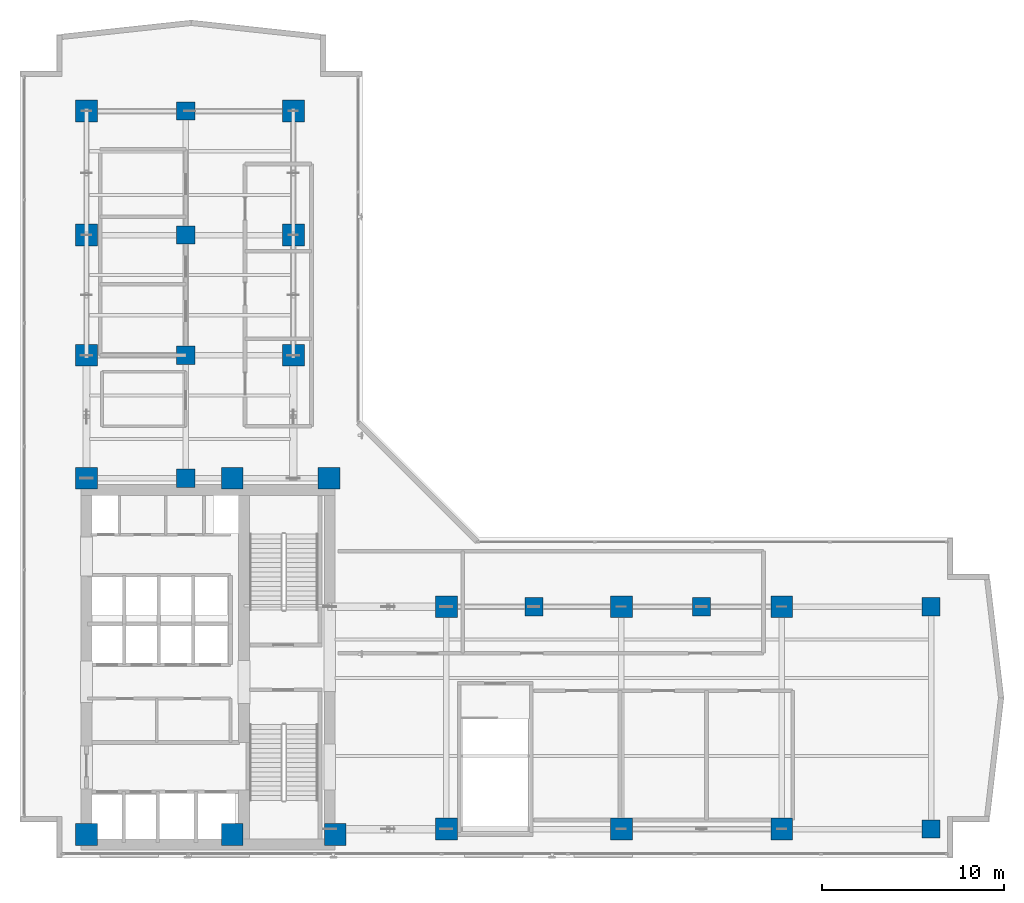
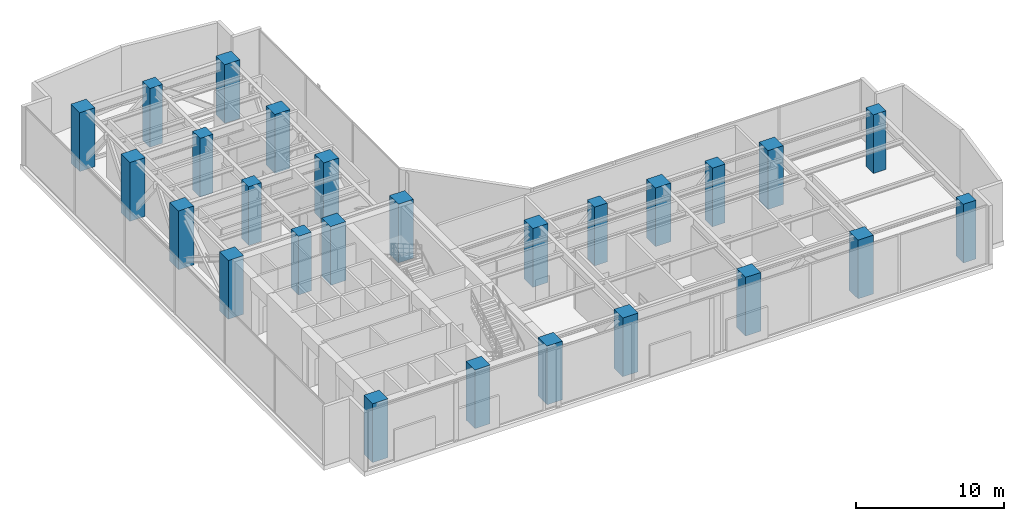
# One storey, part 1 of 36: 26 columns.
"""IFC4 building model written with IfcOpenShell, lengths in metres."""

from ifc_helpers import new_model, si_unit, direction, frame, origin, origin_2d, place, context, subcontext, project, spatial, rectangle, extrude, material, material_profile, profile_set, type_object, element, save


model = new_model("IFC4")

# Units and contexts
model_context = context("Model", 3, precision=1e-05, world=origin(), true_north=direction((0.0, 1.0)))
body_context = subcontext(model_context, "Body", "Model", "MODEL_VIEW")
ifc_project = project(units=[si_unit("LENGTHUNIT", "METRE"), si_unit("AREAUNIT", "SQUARE_METRE"), si_unit("VOLUMEUNIT", "CUBIC_METRE"), si_unit("PLANEANGLEUNIT", "RADIAN"), si_unit("MASSUNIT", "GRAM", prefix="KILO")], contexts=[model_context])

# Site, building, storey
site_placement = place(None, origin())
site = spatial("IfcSite", under=ifc_project, at=site_placement, CompositionType="ELEMENT")
building_placement = place(site_placement, origin())
building = spatial("IfcBuilding", under=site, at=building_placement, Name="Kolvaren Waterfront Exchange", CompositionType="ELEMENT")
storey_placement = place(building_placement, frame((0.0, 0.0, 199.39990234375)))
storey = spatial("IfcBuildingStorey", under=building, at=storey_placement, Name="L51", CompositionType="ELEMENT", Elevation=199.39990234375)

# Columns
ifc_material = material(Name="Concrete C60/75", Category="concrete")
ifc_material_profile_1 = material_profile(ifc_material, rectangle(XDim=1.0, YDim=1.0, at=origin_2d()), Name="RC-COL-1000x1000")
ifc_profile_set_1 = profile_set([ifc_material_profile_1], Name="Concrete C60/75")
column_type_1 = type_object("IfcColumnType", Name="STR-COL-1000-C60", PredefinedType="COLUMN", material=ifc_profile_set_1)
for number, where, z_axis, x_axis, name in (
    (1, (53.800048828125, 5.199951171875, 0.0), (0.0, 0.0, 1.0), (1.0, 0.0, 0.0), "L51 column ZC01"),
    (2, (53.800048828125, 17.39990234375, 0.0), (0.0, 0.0, 1.0), (1.0, 0.0, 0.0), "L51 column ZC02"),
    (3, (12.89990234375, 24.449951171875, 0.0), (0.0, 0.0, 1.0), (1.0, 0.0, 0.0), "L51 column TC01"),
    (4, (12.89990234375, 31.199951171875, 0.0), (0.0, 0.0, 1.0), (1.0, 0.0, 0.0), "L51 column TC02"),
    (5, (12.89990234375, 37.800048828125, 0.0), (0.0, 0.0, 1.0), (1.0, 0.0, 0.0), "L51 column TC03"),
    (6, (12.89990234375, 44.60009765625, 0.0), (0.0, 0.0, 1.0), (1.0, 0.0, 0.0), "L51 column TC04"),
    (7, (32.0, 17.39990234375, 0.0), (0.0, 0.0, 1.0), (1.0, 0.0, 0.0), "L51 column TC05"),
    (8, (41.199951171875, 17.39990234375, 0.0), (0.0, 0.0, 1.0), (1.0, 0.0, 0.0), "L51 column TC06"),
):
    element("IfcColumn", number, at=place(storey_placement, frame(where, z_axis=z_axis, x_axis=x_axis)), inside=storey, type_object=column_type_1, Name=name, PredefinedType="COLUMN", context=body_context, shape_type="SweptSolid", body=[
        extrude(rectangle(XDim=1.0, YDim=1.0, at=origin_2d()), origin(), (0.0, 0.0, 1.0), 4.860107421875),
    ])
ifc_material_profile_2 = material_profile(ifc_material, rectangle(XDim=1.199951171875, YDim=1.199951171875, at=origin_2d()), Name="RC-COL-1200x1200")
ifc_profile_set_2 = profile_set([ifc_material_profile_2], Name="Concrete C60/75")
column_type_2 = type_object("IfcColumnType", Name="STR-COL-1200-C60", PredefinedType="COLUMN", material=ifc_profile_set_2)
for number, where, z_axis, x_axis, name in (
    (9, (7.449951171875, 4.89990234375, 0.0), (0.0, 0.0, 1.0), (1.0, 0.0, 0.0), "L51 column MC01"),
    (10, (15.449951171875, 4.89990234375, 0.0), (0.0, 0.0, 1.0), (1.0, 0.0, 0.0), "L51 column MC02"),
    (11, (21.10009765625, 4.89990234375, 0.0), (0.0, 0.0, 1.0), (1.0, 0.0, 0.0), "L51 column MC03"),
    (12, (7.449951171875, 24.449951171875, 0.0), (0.0, 0.0, 1.0), (1.0, 0.0, 0.0), "L51 column MC04"),
    (13, (15.449951171875, 24.449951171875, 0.0), (0.0, 0.0, 1.0), (1.0, 0.0, 0.0), "L51 column MC05"),
    (14, (20.75, 24.449951171875, 0.0), (0.0, 0.0, 1.0), (1.0, 0.0, 0.0), "L51 column MC06"),
    (15, (7.449951171875, 31.199951171875, 0.0), (0.0, 0.0, 1.0), (1.0, 0.0, 0.0), "L51 column NC01"),
    (16, (7.449951171875, 37.800048828125, 0.0), (0.0, 0.0, 1.0), (1.0, 0.0, 0.0), "L51 column NC02"),
    (17, (7.449951171875, 44.60009765625, 0.0), (0.0, 0.0, 1.0), (1.0, 0.0, 0.0), "L51 column NC03"),
    (18, (18.800048828125, 31.199951171875, 0.0), (0.0, 0.0, 1.0), (1.0, 0.0, 0.0), "L51 column NC04"),
    (19, (18.800048828125, 37.800048828125, 0.0), (0.0, 0.0, 1.0), (1.0, 0.0, 0.0), "L51 column NC05"),
    (20, (18.800048828125, 44.60009765625, 0.0), (0.0, 0.0, 1.0), (1.0, 0.0, 0.0), "L51 column NC06"),
    (21, (27.199951171875, 5.199951171875, 0.0), (0.0, 0.0, 1.0), (1.0, 0.0, 0.0), "L51 column EC01"),
    (22, (36.800048828125, 5.199951171875, 0.0), (0.0, 0.0, 1.0), (1.0, 0.0, 0.0), "L51 column EC02"),
    (23, (45.60009765625, 5.199951171875, 0.0), (0.0, 0.0, 1.0), (1.0, 0.0, 0.0), "L51 column EC03"),
    (24, (27.199951171875, 17.39990234375, 0.0), (0.0, 0.0, 1.0), (1.0, 0.0, 0.0), "L51 column EC04"),
    (25, (36.800048828125, 17.39990234375, 0.0), (0.0, 0.0, 1.0), (1.0, 0.0, 0.0), "L51 column EC05"),
    (26, (45.60009765625, 17.39990234375, 0.0), (0.0, 0.0, 1.0), (1.0, 0.0, 0.0), "L51 column EC06"),
):
    element("IfcColumn", number, at=place(storey_placement, frame(where, z_axis=z_axis, x_axis=x_axis)), inside=storey, type_object=column_type_2, Name=name, PredefinedType="COLUMN", context=body_context, shape_type="SweptSolid", body=[
        extrude(rectangle(XDim=1.199951171875, YDim=1.199951171875, at=origin_2d()), origin(), (0.0, 0.0, 1.0), 4.860107421875),
    ])

save(model, "model.ifc")
